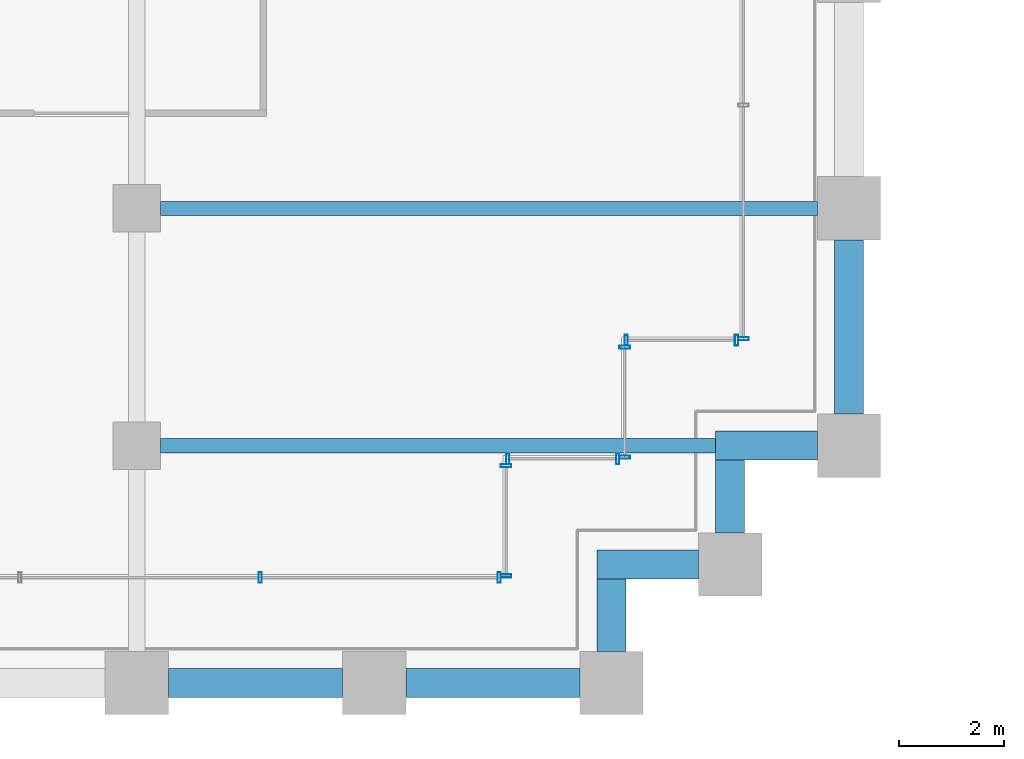
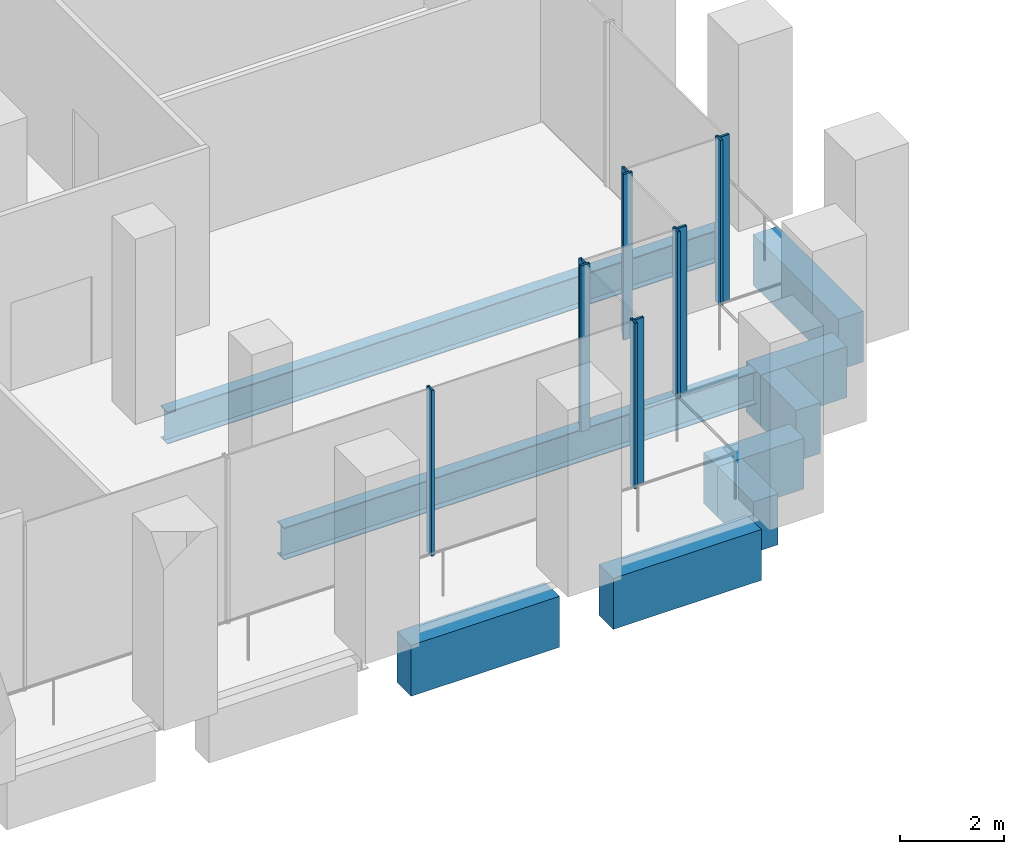
# One storey, part 9 of 36: 11 members, 9 beams, 6 elements without a shape of their own.
"""IFC4 building model written with IfcOpenShell, lengths in metres."""

from ifc_helpers import new_model, si_unit, direction, frame, origin, origin_2d, place, context, subcontext, project, spatial, rectangle, hollow_rectangle, i_section, extrude, material, material_profile, profile_set, type_object, element, aggregate, save


model = new_model("IFC4")

# Units and contexts
model_context = context("Model", 3, precision=1e-05, world=origin(), true_north=direction((0.0, 1.0)))
body_context = subcontext(model_context, "Body", "Model", "MODEL_VIEW")
ifc_project = project(units=[si_unit("LENGTHUNIT", "METRE"), si_unit("AREAUNIT", "SQUARE_METRE"), si_unit("VOLUMEUNIT", "CUBIC_METRE"), si_unit("PLANEANGLEUNIT", "RADIAN"), si_unit("MASSUNIT", "GRAM", prefix="KILO")], contexts=[model_context])

# Site, building, storey
site_placement = place(None, origin())
site = spatial("IfcSite", under=ifc_project, at=site_placement, CompositionType="ELEMENT")
building_placement = place(site_placement, origin())
building = spatial("IfcBuilding", under=site, at=building_placement, Name="Altepetl Exchange Towers", CompositionType="ELEMENT")
storey_placement = place(building_placement, frame((0.0, 0.0, 34.199951171875)))
storey = spatial("IfcBuildingStorey", under=building, at=storey_placement, Name="L07", CompositionType="ELEMENT", Elevation=34.199951171875)

# Beams
ifc_material_1 = material(Name="Steel S355", Category="steel")
ifc_material_profile_1 = material_profile(ifc_material_1, i_section(OverallWidth=0.26611328125, OverallDepth=0.758056640625, WebThickness=0.013916015625, FlangeThickness=0.019287109375, at=origin_2d()), Name="W30X108")
ifc_profile_set_1 = profile_set([ifc_material_profile_1], Name="Steel S355")
beam_type_1 = type_object("IfcBeamType", Name="Floor beam W30X108", PredefinedType="BEAM", material=ifc_profile_set_1)
beam_1_placement = place(storey_placement, frame((58.949951171875, 31.5, -0.553955078125), z_axis=(1.0, 0.0, 0.0), x_axis=(0.0, 1.0, 0.0)))
element("IfcBeam", 1, at=beam_1_placement, inside=storey, type_object=beam_type_1, Name="bm:A:L07:006", PredefinedType="BEAM", context=body_context, shape_type="SweptSolid", body=[
    extrude(i_section(OverallWidth=0.26611328125, OverallDepth=0.758056640625, WebThickness=0.013916015625, FlangeThickness=0.019287109375, at=origin_2d()), origin(), (0.0, 0.0, 1.0), 10.525146484375),
])
beam_2_placement = place(storey_placement, frame((58.949951171875, 36.0, -0.553955078125), z_axis=(1.0, 0.0, 0.0), x_axis=(0.0, 1.0, 0.0)))
element("IfcBeam", 2, at=beam_2_placement, inside=storey, type_object=beam_type_1, Name="bm:A:L07:007", PredefinedType="BEAM", context=body_context, shape_type="SweptSolid", body=[
    extrude(i_section(OverallWidth=0.26611328125, OverallDepth=0.758056640625, WebThickness=0.013916015625, FlangeThickness=0.019287109375, at=origin_2d()), origin(), (0.0, 0.0, 1.0), 12.449951171875),
])

# Curtain wall, members
ifc_material_2 = material(Name="Aluminium 6063-T6 glazing", Category="aluminium")
curtain_wall_type = type_object("IfcCurtainWallType", Name="Trading floor glazing system", PredefinedType="NOTDEFINED", material=ifc_material_2)
curtain_wall_1_placement = place(storey_placement, origin())
curtain_wall_1 = element("IfcCurtainWall", 3, at=curtain_wall_1_placement, inside=storey, type_object=curtain_wall_type, Name="CW2 run", PredefinedType="NOTDEFINED")
ifc_material_3 = material(Name="Aluminium 6063-T6", Category="aluminium")
ifc_material_profile_2 = material_profile(ifc_material_3, hollow_rectangle(XDim=0.06005859375, YDim=0.199951171875, WallThickness=0.0029296875, at=origin_2d()), Name="Mullion 60x200 aluminium")
ifc_profile_set_2 = profile_set([ifc_material_profile_2], Name="Aluminium 6063-T6")
member_type = type_object("IfcMemberType", Name="Mullion 60x200 aluminium", PredefinedType="MULLION", material=ifc_profile_set_2)
member_1_placement = place(storey_placement, frame((60.8427734375, 29.0, 0.0)))
member_1 = element("IfcMember", 4, at=member_1_placement, type_object=member_type, Name="MU2 mullion", PredefinedType="MULLION", context=body_context, shape_type="SweptSolid", body=[
    extrude(hollow_rectangle(XDim=0.06005859375, YDim=0.199951171875, WallThickness=0.0029296875, at=origin_2d()), origin(), (0.0, 0.0, 1.0), 3.900146484375),
])
member_2_placement = place(storey_placement, frame((65.3701171875, 29.0, 0.0)))
member_2 = element("IfcMember", 5, at=member_2_placement, type_object=member_type, Name="MU2 mullion", PredefinedType="MULLION", context=body_context, shape_type="SweptSolid", body=[
    extrude(hollow_rectangle(XDim=0.06005859375, YDim=0.199951171875, WallThickness=0.0029296875, at=origin_2d()), origin(), (0.0, 0.0, 1.0), 3.900146484375),
])
aggregate(curtain_wall_1, [member_1, member_2])

curtain_wall_2_placement = place(storey_placement, origin())
curtain_wall_2 = element("IfcCurtainWall", 6, at=curtain_wall_2_placement, inside=storey, type_object=curtain_wall_type, Name="CW2 run", PredefinedType="NOTDEFINED")
member_3_placement = place(storey_placement, frame((65.5, 29.030029296875, 0.0), z_axis=(0.0, 0.0, 1.0), x_axis=(0.0, 1.0, 0.0)))
member_3 = element("IfcMember", 7, at=member_3_placement, type_object=member_type, Name="MU2 mullion", PredefinedType="MULLION", context=body_context, shape_type="SweptSolid", body=[
    extrude(hollow_rectangle(XDim=0.06005859375, YDim=0.199951171875, WallThickness=0.0029296875, at=origin_2d()), origin(), (0.0, 0.0, 1.0), 3.900146484375),
])
member_4_placement = place(storey_placement, frame((65.5, 31.1201171875, 0.0), z_axis=(0.0, 0.0, 1.0), x_axis=(0.0, 1.0, 0.0)))
member_4 = element("IfcMember", 8, at=member_4_placement, type_object=member_type, Name="MU2 mullion", PredefinedType="MULLION", context=body_context, shape_type="SweptSolid", body=[
    extrude(hollow_rectangle(XDim=0.06005859375, YDim=0.199951171875, WallThickness=0.0029296875, at=origin_2d()), origin(), (0.0, 0.0, 1.0), 3.900146484375),
])
aggregate(curtain_wall_2, [member_3, member_4])

curtain_wall_3_placement = place(storey_placement, origin())
curtain_wall_3 = element("IfcCurtainWall", 9, at=curtain_wall_3_placement, inside=storey, type_object=curtain_wall_type, Name="CW2 run", PredefinedType="NOTDEFINED")
member_5_placement = place(storey_placement, frame((65.530029296875, 31.25, 0.0)))
member_5 = element("IfcMember", 10, at=member_5_placement, type_object=member_type, Name="MU2 mullion", PredefinedType="MULLION", context=body_context, shape_type="SweptSolid", body=[
    extrude(hollow_rectangle(XDim=0.06005859375, YDim=0.199951171875, WallThickness=0.0029296875, at=origin_2d()), origin(), (0.0, 0.0, 1.0), 3.900146484375),
])
member_6_placement = place(storey_placement, frame((67.6201171875, 31.25, 0.0)))
member_6 = element("IfcMember", 11, at=member_6_placement, type_object=member_type, Name="MU2 mullion", PredefinedType="MULLION", context=body_context, shape_type="SweptSolid", body=[
    extrude(hollow_rectangle(XDim=0.06005859375, YDim=0.199951171875, WallThickness=0.0029296875, at=origin_2d()), origin(), (0.0, 0.0, 1.0), 3.900146484375),
])
aggregate(curtain_wall_3, [member_5, member_6])

curtain_wall_4_placement = place(storey_placement, origin())
curtain_wall_4 = element("IfcCurtainWall", 12, at=curtain_wall_4_placement, inside=storey, type_object=curtain_wall_type, Name="CW2 run", PredefinedType="NOTDEFINED")
member_7_placement = place(storey_placement, frame((67.75, 31.280029296875, 0.0), z_axis=(0.0, 0.0, 1.0), x_axis=(0.0, 1.0, 0.0)))
member_7 = element("IfcMember", 13, at=member_7_placement, type_object=member_type, Name="MU2 mullion", PredefinedType="MULLION", context=body_context, shape_type="SweptSolid", body=[
    extrude(hollow_rectangle(XDim=0.06005859375, YDim=0.199951171875, WallThickness=0.0029296875, at=origin_2d()), origin(), (0.0, 0.0, 1.0), 3.900146484375),
])
member_8_placement = place(storey_placement, frame((67.75, 33.3701171875, 0.0), z_axis=(0.0, 0.0, 1.0), x_axis=(0.0, 1.0, 0.0)))
member_8 = element("IfcMember", 14, at=member_8_placement, type_object=member_type, Name="MU2 mullion", PredefinedType="MULLION", context=body_context, shape_type="SweptSolid", body=[
    extrude(hollow_rectangle(XDim=0.06005859375, YDim=0.199951171875, WallThickness=0.0029296875, at=origin_2d()), origin(), (0.0, 0.0, 1.0), 3.900146484375),
])
aggregate(curtain_wall_4, [member_7, member_8])

curtain_wall_5_placement = place(storey_placement, origin())
curtain_wall_5 = element("IfcCurtainWall", 15, at=curtain_wall_5_placement, inside=storey, type_object=curtain_wall_type, Name="CW2 run", PredefinedType="NOTDEFINED")
member_9_placement = place(storey_placement, frame((67.780029296875, 33.5, 0.0)))
member_9 = element("IfcMember", 16, at=member_9_placement, type_object=member_type, Name="MU2 mullion", PredefinedType="MULLION", context=body_context, shape_type="SweptSolid", body=[
    extrude(hollow_rectangle(XDim=0.06005859375, YDim=0.199951171875, WallThickness=0.0029296875, at=origin_2d()), origin(), (0.0, 0.0, 1.0), 3.900146484375),
])
member_10_placement = place(storey_placement, frame((69.8701171875, 33.5, 0.0)))
member_10 = element("IfcMember", 17, at=member_10_placement, type_object=member_type, Name="MU2 mullion", PredefinedType="MULLION", context=body_context, shape_type="SweptSolid", body=[
    extrude(hollow_rectangle(XDim=0.06005859375, YDim=0.199951171875, WallThickness=0.0029296875, at=origin_2d()), origin(), (0.0, 0.0, 1.0), 3.900146484375),
])
aggregate(curtain_wall_5, [member_9, member_10])

# Curtain wall, member
curtain_wall_6_placement = place(storey_placement, origin())
curtain_wall_6 = element("IfcCurtainWall", 18, at=curtain_wall_6_placement, inside=storey, type_object=curtain_wall_type, Name="CW2 run", PredefinedType="NOTDEFINED")
member_11_placement = place(storey_placement, frame((70.0, 33.530029296875, 0.0), z_axis=(0.0, 0.0, 1.0), x_axis=(0.0, 1.0, 0.0)))
member_11 = element("IfcMember", 19, at=member_11_placement, type_object=member_type, Name="MU2 mullion", PredefinedType="MULLION", context=body_context, shape_type="SweptSolid", body=[
    extrude(hollow_rectangle(XDim=0.06005859375, YDim=0.199951171875, WallThickness=0.0029296875, at=origin_2d()), origin(), (0.0, 0.0, 1.0), 3.900146484375),
])
aggregate(curtain_wall_6, [member_11])

# Beams
ifc_material_4 = material(Name="Concrete C50/60 precast with cantera amarilla facing", Category="concrete")
ifc_material_profile_3 = material_profile(ifc_material_4, rectangle(XDim=0.550048828125, YDim=1.199951171875, at=origin_2d()), Name="550 x 1200")
ifc_profile_set_3 = profile_set([ifc_material_profile_3], Name="Concrete C50/60 precast with cantera amarilla facing")
beam_type_2 = type_object("IfcBeamType", Name="Spandrel beam 550x1200 cantera amarilla", PredefinedType="SPANDREL", material=ifc_profile_set_3)
for number, where, z_axis, x_axis, name in (
    (20, (59.10009765625, 27.0, -0.77490234375), (1.0, 0.0, 0.0), (0.0, 1.0, 0.0), "sp:A:L07:006"),
    (21, (63.60009765625, 27.0, -0.77490234375), (1.0, 0.0, 0.0), (0.0, 1.0, 0.0), "sp:A:L07:007"),
):
    element("IfcBeam", number, at=place(storey_placement, frame(where, z_axis=z_axis, x_axis=x_axis)), inside=storey, type_object=beam_type_2, Name=name, PredefinedType="SPANDREL", context=body_context, shape_type="SweptSolid", body=[
        extrude(rectangle(XDim=0.550048828125, YDim=1.199951171875, at=origin_2d()), origin(), (0.0, 0.0, 1.0), 3.2998046875),
    ])
beam_3_placement = place(storey_placement, frame((67.5, 27.60009765625, -0.77490234375), z_axis=(0.0, 1.0, 0.0), x_axis=(-1.0, 0.0, 0.0)))
element("IfcBeam", 22, at=beam_3_placement, inside=storey, type_object=beam_type_2, Name="sp:A:L07:008", PredefinedType="SPANDREL", context=body_context, shape_type="SweptSolid", body=[
    extrude(rectangle(XDim=0.550048828125, YDim=1.199951171875, at=origin_2d()), origin(), (0.0, 0.0, 1.0), 1.375),
])
beam_4_placement = place(storey_placement, frame((67.22509765625, 29.25, -0.77490234375), z_axis=(1.0, 0.0, 0.0), x_axis=(0.0, 1.0, 0.0)))
element("IfcBeam", 23, at=beam_4_placement, inside=storey, type_object=beam_type_2, Name="sp:A:L07:009", PredefinedType="SPANDREL", context=body_context, shape_type="SweptSolid", body=[
    extrude(rectangle(XDim=0.550048828125, YDim=1.199951171875, at=origin_2d()), origin(), (0.0, 0.0, 1.0), 1.9248046875),
])
beam_5_placement = place(storey_placement, frame((69.75, 29.85009765625, -0.77490234375), z_axis=(0.0, 1.0, 0.0), x_axis=(-1.0, 0.0, 0.0)))
element("IfcBeam", 24, at=beam_5_placement, inside=storey, type_object=beam_type_2, Name="sp:A:L07:010", PredefinedType="SPANDREL", context=body_context, shape_type="SweptSolid", body=[
    extrude(rectangle(XDim=0.550048828125, YDim=1.199951171875, at=origin_2d()), origin(), (0.0, 0.0, 1.0), 1.375),
])
beam_6_placement = place(storey_placement, frame((69.47509765625, 31.5, -0.77490234375), z_axis=(1.0, 0.0, 0.0), x_axis=(0.0, 1.0, 0.0)))
element("IfcBeam", 25, at=beam_6_placement, inside=storey, type_object=beam_type_2, Name="sp:A:L07:011", PredefinedType="SPANDREL", context=body_context, shape_type="SweptSolid", body=[
    extrude(rectangle(XDim=0.550048828125, YDim=1.199951171875, at=origin_2d()), origin(), (0.0, 0.0, 1.0), 1.9248046875),
])
beam_7_placement = place(storey_placement, frame((72.0, 32.10009765625, -0.77490234375), z_axis=(0.0, 1.0, 0.0), x_axis=(-1.0, 0.0, 0.0)))
element("IfcBeam", 26, at=beam_7_placement, inside=storey, type_object=beam_type_2, Name="sp:A:L07:012", PredefinedType="SPANDREL", context=body_context, shape_type="SweptSolid", body=[
    extrude(rectangle(XDim=0.550048828125, YDim=1.199951171875, at=origin_2d()), origin(), (0.0, 0.0, 1.0), 3.2998046875),
])

save(model, "model.ifc")
